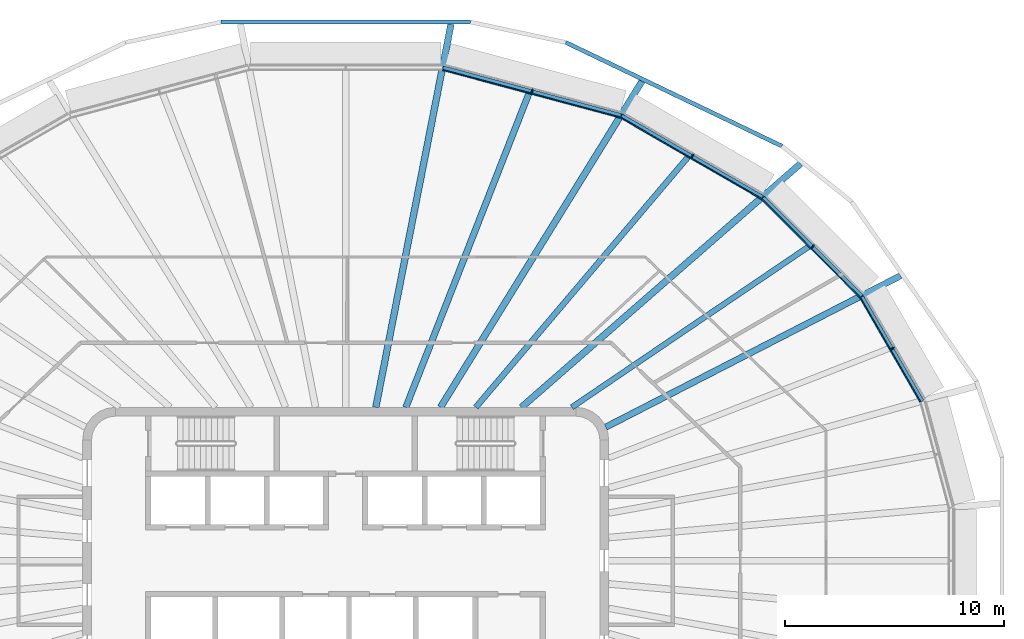
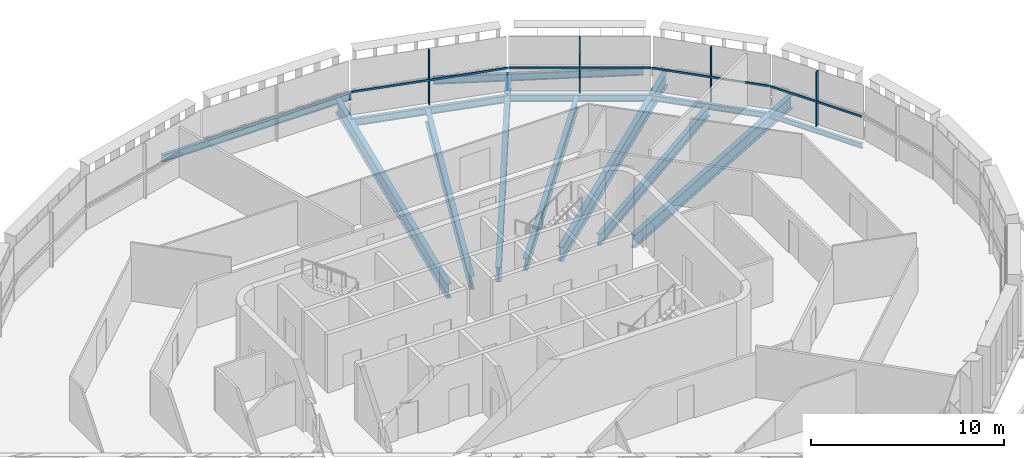
# One storey, part 7 of 18: 13 beams, 8 members, 4 elements without a shape of their own.
"""IFC4 building model written with IfcOpenShell, lengths in metres."""

from ifc_helpers import new_model, si_unit, direction, frame, origin, origin_2d, place, context, subcontext, project, spatial, rectangle, i_section, extrude, material, layer, layer_set, material_profile, profile_set, type_object, element, aggregate, save


model = new_model("IFC4")

# Units and contexts
model_context = context("Model", 3, precision=1e-05, world=origin(), true_north=direction((0.0, 1.0)))
body_context = subcontext(model_context, "Body", "Model", "MODEL_VIEW")
ifc_project = project(units=[si_unit("LENGTHUNIT", "METRE"), si_unit("AREAUNIT", "SQUARE_METRE"), si_unit("VOLUMEUNIT", "CUBIC_METRE"), si_unit("PLANEANGLEUNIT", "RADIAN"), si_unit("MASSUNIT", "GRAM", prefix="KILO")], contexts=[model_context])

# Site, building, storey
site_placement = place(None, origin())
site = spatial("IfcSite", under=ifc_project, at=site_placement, CompositionType="ELEMENT")
building_placement = place(site_placement, origin())
building = spatial("IfcBuilding", under=site, at=building_placement, Name="Sahrelin Media Tower", CompositionType="ELEMENT")
storey_placement = place(building_placement, frame((0.0, 0.0, 295.0)))
storey = spatial("IfcBuildingStorey", under=building, at=storey_placement, Name="L65", CompositionType="ELEMENT", Elevation=295.0)

# Beams
ifc_material_1 = material(Name="Steel S355", Category="steel")
ifc_material_profile_1 = material_profile(ifc_material_1, i_section(OverallWidth=0.1650390625, OverallDepth=0.303466796875, WebThickness=0.006103515625, FlangeThickness=0.01025390625, FilletRadius=0.0087890625, at=origin_2d()), Name="UB 305x165x40")
ifc_profile_set_1 = profile_set([ifc_material_profile_1], Name="Steel S355")
beam_type_1 = type_object("IfcBeamType", Name="Edge beam EB2", PredefinedType="BEAM", material=ifc_profile_set_1)
beam_1_placement = place(storey_placement, frame((23.54931640625, 12.04931640625, -0.3017578125), z_axis=(0.500009232748, -0.866020073189, 0.0), x_axis=(0.866020073189, 0.500009232748, 0.0)))
element("IfcBeam", 1, at=beam_1_placement, inside=storey, type_object=beam_type_1, Name="Edge beam L65-23", PredefinedType="BEAM", context=body_context, shape_type="SweptSolid", body=[
    extrude(i_section(OverallWidth=0.1650390625, OverallDepth=0.303466796875, WebThickness=0.006103515625, FlangeThickness=0.01025390625, FilletRadius=0.0087890625, at=origin_2d()), origin(), (0.0, 0.0, 1.0), 5.50244140625),
])
ifc_material_profile_2 = material_profile(ifc_material_1, i_section(OverallWidth=0.17138671875, OverallDepth=0.35498046875, WebThickness=0.00732421875, FlangeThickness=0.011474609375, FilletRadius=0.01025390625, at=origin_2d()), Name="UB 356x171x51")
ifc_profile_set_2 = profile_set([ifc_material_profile_2], Name="Steel S355")
beam_type_2 = type_object("IfcBeamType", Name="Edge beam EB3", PredefinedType="BEAM", material=ifc_profile_set_2)
beam_2_placement = place(storey_placement, frame((19.04052734375, 16.5634765625, -0.327392578125), z_axis=(0.707106781187, -0.707106781187, 0.0), x_axis=(0.707106781187, 0.707106781187, 0.0)))
element("IfcBeam", 2, at=beam_2_placement, inside=storey, type_object=beam_type_2, Name="Edge beam L65-22", PredefinedType="BEAM", context=body_context, shape_type="SweptSolid", body=[
    extrude(i_section(OverallWidth=0.17138671875, OverallDepth=0.35498046875, WebThickness=0.00732421875, FlangeThickness=0.011474609375, FilletRadius=0.01025390625, at=origin_2d()), origin(), (0.0, 0.0, 1.0), 6.3515625),
])
ifc_material_profile_3 = material_profile(ifc_material_1, i_section(OverallWidth=0.177978515625, OverallDepth=0.406494140625, WebThickness=0.0078125, FlangeThickness=0.0126953125, FilletRadius=0.01025390625, at=origin_2d()), Name="UB 406x178x60")
ifc_profile_set_3 = profile_set([ifc_material_profile_3], Name="Steel S355")
beam_type_3 = type_object("IfcBeamType", Name="Edge beam EB4", PredefinedType="BEAM", material=ifc_profile_set_3)
beam_3_placement = place(storey_placement, frame((12.58544921875, 20.294677734375, -0.353271484375), z_axis=(0.866009322333, -0.500027852856, 0.0), x_axis=(0.500027852856, 0.866009322333, 0.0)))
element("IfcBeam", 3, at=beam_3_placement, inside=storey, type_object=beam_type_3, Name="Edge beam L65-21", PredefinedType="BEAM", context=body_context, shape_type="SweptSolid", body=[
    extrude(i_section(OverallWidth=0.177978515625, OverallDepth=0.406494140625, WebThickness=0.0078125, FlangeThickness=0.0126953125, FilletRadius=0.01025390625, at=origin_2d()), origin(), (0.0, 0.0, 1.0), 7.42724609375),
])
ifc_material_profile_4 = material_profile(ifc_material_1, i_section(OverallWidth=0.1904296875, OverallDepth=0.45703125, WebThickness=0.009033203125, FlangeThickness=0.014404296875, FilletRadius=0.01025390625, at=origin_2d()), Name="UB 457x191x74")
ifc_profile_set_4 = profile_set([ifc_material_profile_4], Name="Steel S355")
beam_type_4 = type_object("IfcBeamType", Name="Edge beam EB5", PredefinedType="BEAM", material=ifc_profile_set_4)
beam_4_placement = place(storey_placement, frame((4.4375, 22.481689453125, -0.37841796875), z_axis=(0.965928221005, -0.258810107735, 0.0), x_axis=(0.258810107735, 0.965928221005, 0.0)))
element("IfcBeam", 4, at=beam_4_placement, inside=storey, type_object=beam_type_4, Name="Edge beam L65-20", PredefinedType="BEAM", context=body_context, shape_type="SweptSolid", body=[
    extrude(i_section(OverallWidth=0.1904296875, OverallDepth=0.45703125, WebThickness=0.009033203125, FlangeThickness=0.014404296875, FilletRadius=0.01025390625, at=origin_2d()), origin(), (0.0, 0.0, 1.0), 8.40771484375),
])

# Curtain wall, member
ifc_material_2 = material(Name="Champagne anodised aluminium 6063-T6", Category="aluminium")
ifc_layer = layer(ifc_material_2, 0.14990234375)
ifc_layer_set = layer_set([ifc_layer], Name="Tower ribbon curtain wall")
curtain_wall_type = type_object("IfcCurtainWallType", Name="Tower ribbon curtain wall", PredefinedType="NOTDEFINED", material=ifc_layer_set)
curtain_wall_1_placement = place(storey_placement, frame((25.0546875, 9.74169921875, 0.0), z_axis=(0.0, 0.0, 1.0), x_axis=(1.0, 0.0, 0.0)))
curtain_wall_1 = element("IfcCurtainWall", 5, at=curtain_wall_1_placement, inside=storey, type_object=curtain_wall_type, Name="L65:CW:L65-02", PredefinedType="NOTDEFINED")
ifc_material_profile_5 = material_profile(ifc_material_2, rectangle(XDim=0.06005859375, YDim=0.199951171875, at=origin_2d()), Name="Mullion 60x200")
ifc_profile_set_5 = profile_set([ifc_material_profile_5], Name="Champagne anodised aluminium 6063-T6")
member_type_1 = type_object("IfcMemberType", Name="Mullion 60x200 CW1C", PredefinedType="MULLION", material=ifc_profile_set_5)
member_1_placement = place(storey_placement, frame((24.950927734375, 9.681640625, 0.0), z_axis=(0.0, 0.0, 1.0), x_axis=(-0.500010580459, 0.866019295067, 0.0)))
member_1 = element("IfcMember", 6, at=member_1_placement, type_object=member_type_1, Name="L65:CWM:L65-02", PredefinedType="MULLION", context=body_context, shape_type="SweptSolid", body=[
    extrude(rectangle(XDim=0.06005859375, YDim=0.199951171875, at=origin_2d()), origin(), (0.0, 0.0, 1.0), 3.448486328125),
])

curtain_wall_2_placement = place(storey_placement, frame((21.392333984375, 14.423828125, 0.0), z_axis=(0.0, 0.0, 1.0), x_axis=(1.0, 0.0, 0.0)))
curtain_wall_2 = element("IfcCurtainWall", 7, at=curtain_wall_2_placement, inside=storey, type_object=curtain_wall_type, Name="L65:CW:L65-03", PredefinedType="NOTDEFINED")
member_2_placement = place(storey_placement, frame((21.307373046875, 14.339111328125, 0.0), z_axis=(0.0, 0.0, 1.0), x_axis=(-0.707106781187, 0.707106781187, 0.0)))
member_2 = element("IfcMember", 8, at=member_2_placement, type_object=member_type_1, Name="L65:CWM:L65-03", PredefinedType="MULLION", context=body_context, shape_type="SweptSolid", body=[
    extrude(rectangle(XDim=0.06005859375, YDim=0.199951171875, at=origin_2d()), origin(), (0.0, 0.0, 1.0), 3.448486328125),
])

curtain_wall_3_placement = place(storey_placement, frame((15.87646484375, 18.567626953125, 0.0), z_axis=(0.0, 0.0, 1.0), x_axis=(1.0, 0.0, 0.0)))
curtain_wall_3 = element("IfcCurtainWall", 9, at=curtain_wall_3_placement, inside=storey, type_object=curtain_wall_type, Name="L65:CW:L65-04", PredefinedType="NOTDEFINED")
member_3_placement = place(storey_placement, frame((15.81640625, 18.4638671875, 0.0), z_axis=(0.0, 0.0, 1.0), x_axis=(-0.866024531118, 0.500001511499, 0.0)))
member_3 = element("IfcMember", 10, at=member_3_placement, type_object=member_type_1, Name="L65:CWM:L65-04", PredefinedType="MULLION", context=body_context, shape_type="SweptSolid", body=[
    extrude(rectangle(XDim=0.06005859375, YDim=0.199951171875, at=origin_2d()), origin(), (0.0, 0.0, 1.0), 3.448486328125),
])

curtain_wall_4_placement = place(storey_placement, frame((8.536865234375, 21.53857421875, 0.0), z_axis=(0.0, 0.0, 1.0), x_axis=(1.0, 0.0, 0.0)))
curtain_wall_4 = element("IfcCurtainWall", 11, at=curtain_wall_4_placement, inside=storey, type_object=curtain_wall_type, Name="L65:CW:L65-05", PredefinedType="NOTDEFINED")
member_4_placement = place(storey_placement, frame((8.505859375, 21.422607421875, 0.0), z_axis=(0.0, 0.0, 1.0), x_axis=(-0.965927633163, 0.258812301662, 0.0)))
member_4 = element("IfcMember", 12, at=member_4_placement, type_object=member_type_1, Name="L65:CWM:L65-05", PredefinedType="MULLION", context=body_context, shape_type="SweptSolid", body=[
    extrude(rectangle(XDim=0.06005859375, YDim=0.199951171875, at=origin_2d()), origin(), (0.0, 0.0, 1.0), 3.448486328125),
])

# Beams
ifc_material_profile_6 = material_profile(ifc_material_1, i_section(OverallWidth=0.291748046875, OverallDepth=0.8349609375, WebThickness=0.013916015625, FlangeThickness=0.018798828125, FilletRadius=0.017822265625, at=origin_2d()), Name="UB 838x292x176")
ifc_profile_set_6 = profile_set([ifc_material_profile_6], Name="Steel S355")
beam_type_5 = type_object("IfcBeamType", Name="Radial primary beam PB10", PredefinedType="BEAM", material=ifc_profile_set_6)
beam_5_placement = place(storey_placement, frame((11.86376953125, 6.09375, -0.5673828125), z_axis=(0.889517357892, 0.456901378865, 0.0), x_axis=(-0.456901378865, 0.889517357892, 0.0)))
element("IfcBeam", 13, at=beam_5_placement, inside=storey, type_object=beam_type_5, Name="Radial beam L65-03", PredefinedType="BEAM", context=body_context, shape_type="SweptSolid", body=[
    extrude(i_section(OverallWidth=0.291748046875, OverallDepth=0.8349609375, WebThickness=0.013916015625, FlangeThickness=0.018798828125, FilletRadius=0.017822265625, at=origin_2d()), origin(), (0.0, 0.0, 1.0), 15.11962890625),
])
ifc_material_profile_7 = material_profile(ifc_material_1, i_section(OverallWidth=0.30322265625, OverallDepth=0.903076171875, WebThickness=0.01513671875, FlangeThickness=0.020263671875, FilletRadius=0.01904296875, at=origin_2d()), Name="UB 914x305x201")
ifc_profile_set_7 = profile_set([ifc_material_profile_7], Name="Steel S355")
beam_type_6 = type_object("IfcBeamType", Name="Radial primary beam PB11", PredefinedType="BEAM", material=ifc_profile_set_7)
beam_6_placement = place(storey_placement, frame((8.018310546875, 7.0, -0.6015625), z_axis=(0.753326939071, 0.657646198856, 0.0), x_axis=(-0.657646198856, 0.753326939071, 0.0)))
element("IfcBeam", 14, at=beam_6_placement, inside=storey, type_object=beam_type_6, Name="Radial beam L65-04", PredefinedType="BEAM", context=body_context, shape_type="SweptSolid", body=[
    extrude(i_section(OverallWidth=0.30322265625, OverallDepth=0.903076171875, WebThickness=0.01513671875, FlangeThickness=0.020263671875, FilletRadius=0.01904296875, at=origin_2d()), origin(), (0.0, 0.0, 1.0), 16.90185546875),
])
beam_7_placement = place(storey_placement, frame((4.3251953125, 7.0, -0.6015625), z_axis=(0.525640038522, 0.850707088194, 0.0), x_axis=(-0.850707088194, 0.525640038522, 0.0)))
element("IfcBeam", 15, at=beam_7_placement, inside=storey, type_object=beam_type_6, Name="Radial beam L65-05", PredefinedType="BEAM", context=body_context, shape_type="SweptSolid", body=[
    extrude(i_section(OverallWidth=0.30322265625, OverallDepth=0.903076171875, WebThickness=0.01513671875, FlangeThickness=0.020263671875, FilletRadius=0.01904296875, at=origin_2d()), origin(), (0.0, 0.0, 1.0), 17.48291015625),
])
beam_8_placement = place(storey_placement, frame((1.3740234375, 7.0, -0.6015625), z_axis=(0.192606492872, 0.981276076802, 0.0), x_axis=(-0.981276076802, 0.192606492872, 0.0)))
element("IfcBeam", 16, at=beam_8_placement, inside=storey, type_object=beam_type_6, Name="Radial beam L65-06", PredefinedType="BEAM", context=body_context, shape_type="SweptSolid", body=[
    extrude(i_section(OverallWidth=0.30322265625, OverallDepth=0.903076171875, WebThickness=0.01513671875, FlangeThickness=0.020263671875, FilletRadius=0.01904296875, at=origin_2d()), origin(), (0.0, 0.0, 1.0), 17.811767578125),
])
ifc_material_profile_8 = material_profile(ifc_material_1, i_section(OverallWidth=0.291748046875, OverallDepth=0.8349609375, WebThickness=0.013916015625, FlangeThickness=0.018798828125, FilletRadius=0.017822265625, at=origin_2d()), Name="UB 838x292x176")
ifc_profile_set_8 = profile_set([ifc_material_profile_8], Name="Steel S355")
beam_type_7 = type_object("IfcBeamType", Name="Radial secondary beam SB10", PredefinedType="BEAM", material=ifc_profile_set_8)
beam_9_placement = place(storey_placement, frame((2.744384765625, 7.0, -0.5673828125), z_axis=(0.365018797465, 0.931000149032, 0.0), x_axis=(-0.931000149032, 0.365018797465, 0.0)))
element("IfcBeam", 17, at=beam_9_placement, inside=storey, type_object=beam_type_7, Name="Secondary beam L65-05", PredefinedType="BEAM", context=body_context, shape_type="SweptSolid", body=[
    extrude(i_section(OverallWidth=0.291748046875, OverallDepth=0.8349609375, WebThickness=0.013916015625, FlangeThickness=0.018798828125, FilletRadius=0.017822265625, at=origin_2d()), origin(), (0.0, 0.0, 1.0), 15.3935546875),
])
ifc_material_profile_9 = material_profile(ifc_material_1, i_section(OverallWidth=0.2529296875, OverallDepth=0.677978515625, WebThickness=0.01171875, FlangeThickness=0.01611328125, FilletRadius=0.01513671875, at=origin_2d()), Name="UB 686x254x125")
ifc_profile_set_9 = profile_set([ifc_material_profile_9], Name="Steel S355")
beam_type_8 = type_object("IfcBeamType", Name="Radial secondary beam SB8", PredefinedType="BEAM", material=ifc_profile_set_9)
beam_10_placement = place(storey_placement, frame((10.318115234375, 7.0, -0.489013671875), z_axis=(0.827525335728, 0.56142837364, 0.0), x_axis=(-0.56142837364, 0.827525335728, 0.0)))
element("IfcBeam", 18, at=beam_10_placement, inside=storey, type_object=beam_type_8, Name="Secondary beam L65-03", PredefinedType="BEAM", context=body_context, shape_type="SweptSolid", body=[
    extrude(i_section(OverallWidth=0.2529296875, OverallDepth=0.677978515625, WebThickness=0.01171875, FlangeThickness=0.01611328125, FilletRadius=0.01513671875, at=origin_2d()), origin(), (0.0, 0.0, 1.0), 13.077880859375),
])
ifc_material_profile_10 = material_profile(ifc_material_1, i_section(OverallWidth=0.26513671875, OverallDepth=0.75390625, WebThickness=0.0126953125, FlangeThickness=0.017578125, FilletRadius=0.0166015625, at=origin_2d()), Name="UB 762x267x147")
ifc_profile_set_10 = profile_set([ifc_material_profile_10], Name="Steel S355")
beam_type_9 = type_object("IfcBeamType", Name="Radial secondary beam SB9", PredefinedType="BEAM", material=ifc_profile_set_10)
beam_11_placement = place(storey_placement, frame((5.935546875, 7.0, -0.527099609375), z_axis=(0.646730360322, 0.762718716853, 0.0), x_axis=(-0.762718716853, 0.646730360322, 0.0)))
element("IfcBeam", 19, at=beam_11_placement, inside=storey, type_object=beam_type_9, Name="Secondary beam L65-04", PredefinedType="BEAM", context=body_context, shape_type="SweptSolid", body=[
    extrude(i_section(OverallWidth=0.26513671875, OverallDepth=0.75390625, WebThickness=0.0126953125, FlangeThickness=0.017578125, FilletRadius=0.0166015625, at=origin_2d()), origin(), (0.0, 0.0, 1.0), 14.990966796875),
])
ifc_material_profile_11 = material_profile(ifc_material_1, i_section(OverallWidth=0.1904296875, OverallDepth=0.45703125, WebThickness=0.009033203125, FlangeThickness=0.014404296875, FilletRadius=0.01025390625, at=origin_2d()), Name="UB 457x191x74")
ifc_profile_set_11 = profile_set([ifc_material_profile_11], Name="Steel S355")
beam_type_10 = type_object("IfcBeamType", Name="Tie chord TC5", PredefinedType="BEAM", material=ifc_profile_set_11)
beam_12_placement = place(storey_placement, frame((19.898193359375, 18.916259765625, -0.37841796875), z_axis=(-0.901625452697, 0.432517679465, 0.0), x_axis=(-0.432517679465, -0.901625452697, 0.0)))
element("IfcBeam", 20, at=beam_12_placement, inside=storey, type_object=beam_type_10, Name="Tie chord L65-04", PredefinedType="BEAM", context=body_context, shape_type="SweptSolid", body=[
    extrude(i_section(OverallWidth=0.1904296875, OverallDepth=0.45703125, WebThickness=0.009033203125, FlangeThickness=0.014404296875, FilletRadius=0.01025390625, at=origin_2d()), origin(), (0.0, 0.0, 1.0), 10.93603515625),
])
beam_13_placement = place(storey_placement, frame((5.692626953125, 24.573486328125, -0.37841796875), z_axis=(-1.0, 0.0, 0.0), x_axis=(0.0, -1.0, 0.0)))
element("IfcBeam", 21, at=beam_13_placement, inside=storey, type_object=beam_type_10, Name="Tie chord L65-06", PredefinedType="BEAM", context=body_context, shape_type="SweptSolid", body=[
    extrude(i_section(OverallWidth=0.1904296875, OverallDepth=0.45703125, WebThickness=0.009033203125, FlangeThickness=0.014404296875, FilletRadius=0.01025390625, at=origin_2d()), origin(), (0.0, 0.0, 1.0), 11.38525390625),
])

# Member
ifc_material_profile_12 = material_profile(ifc_material_2, rectangle(XDim=0.050048828125, YDim=0.1201171875, at=origin_2d()), Name="Transom 50x120")
ifc_profile_set_12 = profile_set([ifc_material_profile_12], Name="Champagne anodised aluminium 6063-T6")
member_type_2 = type_object("IfcMemberType", Name="Transom 50x120 CW1C", PredefinedType="USERDEFINED", material=ifc_profile_set_12)
member_5_placement = place(storey_placement, frame((26.21044921875, 7.250244140625, 1.60009765625), z_axis=(-0.500012159746, 0.866018383238, 0.0), x_axis=(-0.866018383238, -0.500012159746, 0.0)))
member_5 = element("IfcMember", 22, at=member_5_placement, type_object=member_type_2, Name="L65:CWT:L65-02", ObjectType="TRANSOM", PredefinedType="USERDEFINED", context=body_context, shape_type="SweptSolid", body=[
    extrude(rectangle(XDim=0.050048828125, YDim=0.1201171875, at=origin_2d()), origin(), (0.0, 0.0, 1.0), 5.470947265625),
])

aggregate(curtain_wall_1, [member_1, member_5])

member_6_placement = place(storey_placement, frame((23.45361328125, 12.01611328125, 1.60009765625), z_axis=(-0.707106781187, 0.707106781187, 0.0), x_axis=(-0.707106781187, -0.707106781187, 0.0)))
member_6 = element("IfcMember", 23, at=member_6_placement, type_object=member_type_2, Name="L65:CWT:L65-03", ObjectType="TRANSOM", PredefinedType="USERDEFINED", context=body_context, shape_type="SweptSolid", body=[
    extrude(rectangle(XDim=0.050048828125, YDim=0.1201171875, at=origin_2d()), origin(), (0.0, 0.0, 1.0), 6.320068359375),
])

aggregate(curtain_wall_2, [member_2, member_6])

member_7_placement = place(storey_placement, frame((18.95654296875, 16.506591796875, 1.60009765625), z_axis=(-0.866022320763, 0.500005339912, 0.0), x_axis=(-0.500005339912, -0.866022320763, 0.0)))
member_7 = element("IfcMember", 24, at=member_7_placement, type_object=member_type_2, Name="L65:CWT:L65-04", ObjectType="TRANSOM", PredefinedType="USERDEFINED", context=body_context, shape_type="SweptSolid", body=[
    extrude(rectangle(XDim=0.050048828125, YDim=0.1201171875, at=origin_2d()), origin(), (0.0, 0.0, 1.0), 7.39599609375),
])

aggregate(curtain_wall_3, [member_3, member_7])

member_8_placement = place(storey_placement, frame((12.51904296875, 20.218017578125, 1.60009765625), z_axis=(-0.965926585438, 0.258816211903, 0.0), x_axis=(-0.258816211903, -0.965926585438, 0.0)))
member_8 = element("IfcMember", 25, at=member_8_placement, type_object=member_type_2, Name="L65:CWT:L65-05", ObjectType="TRANSOM", PredefinedType="USERDEFINED", context=body_context, shape_type="SweptSolid", body=[
    extrude(rectangle(XDim=0.050048828125, YDim=0.1201171875, at=origin_2d()), origin(), (0.0, 0.0, 1.0), 8.37646484375),
])

aggregate(curtain_wall_4, [member_4, member_8])

save(model, "model.ifc")
